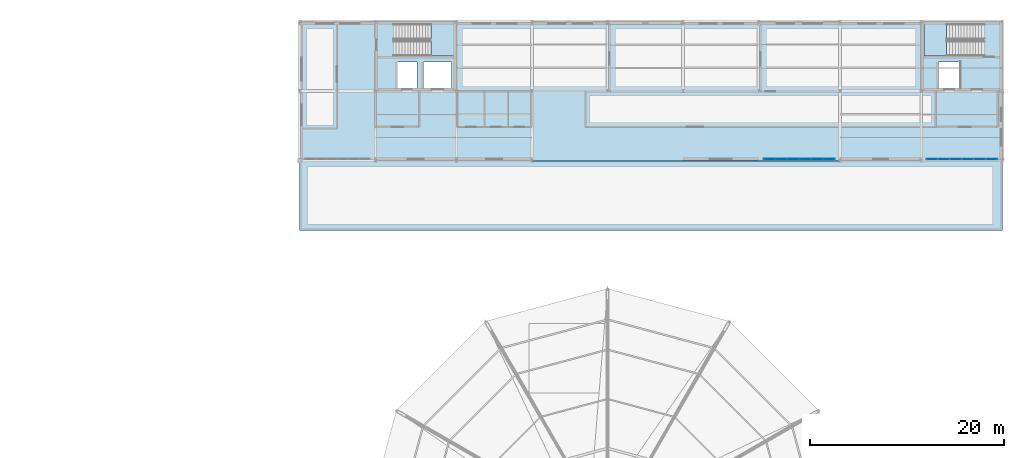
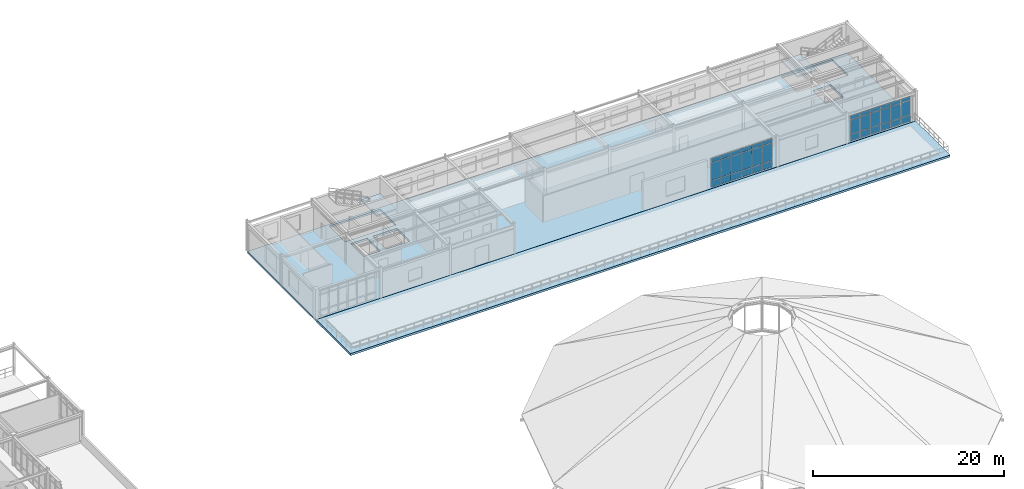
# One storey, part 34 of 58: 36 plates, 4 slabs, 4 elements without a shape of their own.
"""IFC4 building model written with IfcOpenShell, lengths in metres."""

import ifcopenshell
import ifcopenshell.guid

model = None  # the IFC model being written
_history = None  # IfcOwnerHistory: only IFC2X3 demands one
_inside = {}  # id of a spatial element -> (the spatial element, [elements in it])
_under = {}  # id of a project, library or spatial element -> (it, [spatial elements below it])
_declared = {}  # id of a project -> (the project, [libraries it declares])
_typed = {}  # id of a type object -> (the type object, [elements of that type])
_made_of = {}  # id of a material, layer set ... -> (it, [elements and type objects made of it])


def new_model(schema):
    """Start an empty IFC model of exactly this schema.

    Asked for "IFC4X3", IfcOpenShell would pick the latest addendum, in which some entities
    have other attributes; the version numbers below select the first issue.
    IFC2X3 requires an IfcOwnerHistory on every rooted entity: one is made here for all.
    """
    global model, _history
    if schema == "IFC4X3":
        model = ifcopenshell.file(schema_version=(4, 3, 0, 0))
    else:
        model = ifcopenshell.file(schema=schema)
    _inside.clear()
    _under.clear()
    _declared.clear()
    _typed.clear()
    _made_of.clear()
    _history = None
    if model.schema == "IFC2X3":
        org = make("IfcOrganization", Name="unknown")
        user = make(
            "IfcPersonAndOrganization",
            ThePerson=make("IfcPerson", FamilyName="unknown"),
            TheOrganization=org,
        )
        app = make(
            "IfcApplication",
            ApplicationDeveloper=org,
            Version="unknown",
            ApplicationFullName="unknown",
            ApplicationIdentifier="unknown",
        )
        _history = make(
            "IfcOwnerHistory",
            OwningUser=user,
            OwningApplication=app,
            ChangeAction="ADDED",
            CreationDate=0,
        )
    return model


def make(cls, **values):
    """One entity of the class cls with the attributes given. An attribute that is None is left unset."""
    return model.create_entity(
        cls, **{name: value for name, value in values.items() if value is not None}
    )


def rooted(cls, **values):
    """An entity with a GlobalId (a new one), such as an element, a storey or a relation."""
    return make(cls, GlobalId=ifcopenshell.guid.new(), OwnerHistory=_history, **values)


def si_unit(unit_type, name, prefix=None):
    """IfcSIUnit, for example si_unit("LENGTHUNIT", "METRE", prefix="MILLI")."""
    return make("IfcSIUnit", UnitType=unit_type, Prefix=prefix, Name=name)


def derived_unit(unit_type, elements):
    """IfcDerivedUnit: a product of units, each with its exponent."""
    return make(
        "IfcDerivedUnit",
        Elements=[
            make("IfcDerivedUnitElement", Unit=unit, Exponent=power)
            for unit, power in elements
        ],
        UnitType=unit_type,
    )


def assignment(units):
    """IfcUnitAssignment: the units of a project."""
    return None if units is None else make("IfcUnitAssignment", Units=units)


def point(xyz):
    """IfcCartesianPoint."""
    return None if xyz is None else make("IfcCartesianPoint", Coordinates=xyz)


def direction(xyz):
    """IfcDirection."""
    return None if xyz is None else make("IfcDirection", DirectionRatios=xyz)


def frame(location, z_axis=None, x_axis=None):
    """IfcAxis2Placement3D, a coordinate frame: its origin and axes. An axis left out is left unset."""
    return make(
        "IfcAxis2Placement3D",
        Location=point(location),
        Axis=direction(z_axis),
        RefDirection=direction(x_axis),
    )


def frame_2d(location, x_axis=None):
    """IfcAxis2Placement2D, a coordinate frame in the plane: its origin and x axis."""
    return make(
        "IfcAxis2Placement2D", Location=point(location), RefDirection=direction(x_axis)
    )


def origin():
    """The frame at (0, 0, 0) with its axes left unset."""
    return frame((0.0, 0.0, 0.0))


def origin_2d():
    """The frame at (0, 0) in the plane with its x axis left unset."""
    return frame_2d((0.0, 0.0))


def place(relative_to, where):
    """IfcLocalPlacement: puts the frame where relative to a parent placement (None: the world)."""
    return make(
        "IfcLocalPlacement", PlacementRelTo=relative_to, RelativePlacement=where
    )


def context(
    kind, dimensions, precision=None, world=None, true_north=None, identifier=None
):
    """IfcGeometricRepresentationContext, for example the 3D "Model" context."""
    return make(
        "IfcGeometricRepresentationContext",
        ContextIdentifier=identifier,
        ContextType=kind,
        CoordinateSpaceDimension=dimensions,
        Precision=precision,
        WorldCoordinateSystem=world,
        TrueNorth=true_north,
    )


def subcontext(parent, identifier, kind, view, scale=None):
    """IfcGeometricRepresentationSubContext, for example "Body" below "Model"."""
    return make(
        "IfcGeometricRepresentationSubContext",
        ContextIdentifier=identifier,
        ContextType=kind,
        ParentContext=parent,
        TargetScale=scale,
        TargetView=view,
    )


def project(units=None, contexts=None):
    """IfcProject with its units and contexts."""
    return rooted(
        "IfcProject",
        Name="project",
        RepresentationContexts=contexts,
        UnitsInContext=assignment(units),
    )


def spatial(cls, under=None, at=None, **own):
    """A site, building, storey or space (cls), placed at a placement, below another one or the project."""
    s = rooted(cls, ObjectPlacement=at, **own)
    if under is not None:
        _under.setdefault(under.id(), (under, []))[1].append(s)
    return s


def polyline(points):
    """IfcPolyline through the points."""
    return make("IfcPolyline", Points=[point(p) for p in points])


def profile(cls, at=None, kind="AREA", **sizes):
    """A parametric profile (cls). Its sizes go by their IFC names, for example OverallWidth=200.0."""
    return make(cls, ProfileType=kind, Position=at, **sizes)


def rectangle(**sizes):
    """IfcRectangleProfileDef."""
    return profile("IfcRectangleProfileDef", **sizes)


def outline(outer, holes=None, kind="AREA"):
    """IfcArbitraryClosedProfileDef: a profile drawn as a closed curve; with holes, ...WithVoids."""
    if holes is None:
        return make("IfcArbitraryClosedProfileDef", ProfileType=kind, OuterCurve=outer)
    return make(
        "IfcArbitraryProfileDefWithVoids",
        ProfileType=kind,
        OuterCurve=outer,
        InnerCurves=holes,
    )


def extrude(swept, where, along, depth):
    """IfcExtrudedAreaSolid: the profile swept, set in the frame where, extruded along a direction by depth."""
    return make(
        "IfcExtrudedAreaSolid",
        SweptArea=swept,
        Position=where,
        ExtrudedDirection=direction(along),
        Depth=depth,
    )


def shape(context_of_items, identifier, shape_type, items):
    """IfcShapeRepresentation: the items that make up one representation, for example the "Body"."""
    return make(
        "IfcShapeRepresentation",
        ContextOfItems=context_of_items,
        RepresentationIdentifier=identifier,
        RepresentationType=shape_type,
        Items=items,
    )


def material(Name=None, Category=None):
    """IfcMaterial."""
    return make("IfcMaterial", Name=Name, Category=Category)


def layer(
    of_material, thickness, ventilated=None, Name=None, Category=None, Priority=None
):
    """IfcMaterialLayer: one layer of a wall or slab, of a material (None: an air gap)."""
    return make(
        "IfcMaterialLayer",
        Material=of_material,
        LayerThickness=thickness,
        IsVentilated=ventilated,
        Name=Name,
        Category=Category,
        Priority=Priority,
    )


def layer_set(layers, Name=None):
    """IfcMaterialLayerSet."""
    return make("IfcMaterialLayerSet", MaterialLayers=layers, LayerSetName=Name)


def made_of(thing, what):
    """Note that an element or type object is made of a material, layer set ...; save() writes the relation."""
    if what is not None:
        _made_of.setdefault(what.id(), (what, []))[1].append(thing)
    return thing


def type_object(cls, material=None, **own):
    """A type object (cls), such as IfcWallType, which elements share."""
    return made_of(rooted(cls, **own), material)


def element(
    cls,
    number,
    at=None,
    inside=None,
    cuts=None,
    type_object=None,
    material=None,
    context=None,
    identifier="Body",
    shape_type=None,
    held_by="IfcProductDefinitionShape",
    body=None,
    shapes=None,
    **own,
):
    """One element of the class cls, such as IfcWall. Its Tag is "e" and its number.

    at: its placement. inside: the storey or other place that contains it. cuts: it is an
    opening in that element (IfcRelVoidsElement). A single representation is given by context,
    identifier, shape_type and body (its items); several are given by shapes. held_by: the class
    of the entity that holds the representations. save() writes the other relations.
    """
    e = rooted(cls, Tag="e%d" % number, ObjectPlacement=at, **own)
    if body is not None:
        shapes = [shape(context, identifier, shape_type, body)]
    if shapes is not None:
        e.Representation = make(held_by, Representations=shapes)
    if inside is not None:
        _inside.setdefault(inside.id(), (inside, []))[1].append(e)
    if cuts is not None:
        rooted(
            "IfcRelVoidsElement", RelatingBuildingElement=cuts, RelatedOpeningElement=e
        )
    if type_object is not None:
        _typed.setdefault(type_object.id(), (type_object, []))[1].append(e)
    return made_of(e, material)


def aggregate(whole, parts):
    """IfcRelAggregates: a whole, such as a stair, and the parts it consists of."""
    return rooted("IfcRelAggregates", RelatingObject=whole, RelatedObjects=parts)


def save(model, path):
    """Write the relations noted so far, then the file.

    IfcRelAggregates (storeys below a building ...), IfcRelContainedInSpatialStructure (elements
    in a storey), IfcRelDefinesByType, IfcRelAssociatesMaterial and IfcRelDeclares: one each for
    every whole, place, type object, material and project.
    """
    for whole, parts in _under.values():
        aggregate(whole, parts)
    for where, things in _inside.values():
        rooted(
            "IfcRelContainedInSpatialStructure",
            RelatedElements=things,
            RelatingStructure=where,
        )
    for kind, things in _typed.values():
        rooted("IfcRelDefinesByType", RelatedObjects=things, RelatingType=kind)
    for what, things in _made_of.values():
        rooted("IfcRelAssociatesMaterial", RelatedObjects=things, RelatingMaterial=what)
    for by, libraries in _declared.values():
        rooted("IfcRelDeclares", RelatingContext=by, RelatedDefinitions=libraries)
    model.write(path)


model = new_model("IFC4")

# Units and contexts
model_context = context("Model", 3, precision=1e-05, world=origin(), true_north=direction((0.0, 1.0)))
body_context = subcontext(model_context, "Body", "Model", "MODEL_VIEW")
ifc_project = project(units=[si_unit("LENGTHUNIT", "METRE"), si_unit("AREAUNIT", "SQUARE_METRE"), si_unit("VOLUMEUNIT", "CUBIC_METRE"), si_unit("PLANEANGLEUNIT", "RADIAN"), si_unit("MASSUNIT", "GRAM", prefix="KILO"), derived_unit("THERMALTRANSMITTANCEUNIT", [(si_unit("POWERUNIT", "WATT"), 1), (si_unit("AREAUNIT", "SQUARE_METRE"), -1), (si_unit("THERMODYNAMICTEMPERATUREUNIT", "KELVIN"), -1)])], contexts=[model_context])

# Site, building, storey
site_placement = place(None, origin())
site = spatial("IfcSite", under=ifc_project, at=site_placement, CompositionType="ELEMENT")
building_placement = place(site_placement, origin())
building = spatial("IfcBuilding", under=site, at=building_placement, Name="Yasenodar Specialist Clinic", CompositionType="ELEMENT")
storey_placement = place(building_placement, frame((0.0, 0.0, 21.300048828125)))
storey = spatial("IfcBuildingStorey", under=building, at=storey_placement, Name="L05", CompositionType="ELEMENT", Elevation=21.300048828125)

# Curtain wall, plates
ifc_material_1 = material(Name="Bronze Anodized Aluminium and Triple Low-E Glass", Category="aluminium")
ifc_layer_1 = layer(ifc_material_1, 0.215087890625)
ifc_layer_set_1 = layer_set([ifc_layer_1], Name="Bronze Anodized Aluminium and Triple Low-E Glass")
curtain_wall_type = type_object("IfcCurtainWallType", Name="CW-SYS-05", PredefinedType="USERDEFINED", material=ifc_layer_set_1)
curtain_wall_1_placement = place(storey_placement, origin())
curtain_wall_1 = element("IfcCurtainWall", 1, at=curtain_wall_1_placement, inside=storey, type_object=curtain_wall_type, Name="L05 Unitised Curtain Wall 165", ObjectType="UNITISED CURTAIN WALL", PredefinedType="USERDEFINED")
ifc_material_2 = material(Name="Triple Low-E Argon Glazing", Category="glass")
ifc_layer_2 = layer(ifc_material_2, 0.033935546875)
ifc_layer_set_2 = layer_set([ifc_layer_2], Name="Triple Low-E Argon Glazing")
plate_type_1 = type_object("IfcPlateType", Name="CW-PAN-2", PredefinedType="CURTAIN_PANEL", material=ifc_layer_set_2)
plate_1_placement = place(storey_placement, frame((120.68115234375, 97.3701171875, 0.074951171875), z_axis=(0.0, 0.0, 1.0), x_axis=(-1.0, 0.0, 0.0)))
plate_1 = element("IfcPlate", 2, at=plate_1_placement, type_object=plate_type_1, Name="CW-05 panel 1.1", PredefinedType="CURTAIN_PANEL", context=body_context, shape_type="SweptSolid", body=[
    extrude(rectangle(XDim=1.12744140625, YDim=0.033935546875, at=origin_2d()), origin(), (0.0, 0.0, 1.0), 0.78759765625),
])
plate_2_placement = place(storey_placement, frame((120.68115234375, 97.3701171875, 0.9375), z_axis=(0.0, 0.0, 1.0), x_axis=(-1.0, 0.0, 0.0)))
plate_2 = element("IfcPlate", 3, at=plate_2_placement, type_object=plate_type_1, Name="CW-05 panel 1.2", PredefinedType="CURTAIN_PANEL", context=body_context, shape_type="SweptSolid", body=[
    extrude(rectangle(XDim=1.12744140625, YDim=0.033935546875, at=origin_2d()), origin(), (0.0, 0.0, 1.0), 1.802978515625),
])
plate_3_placement = place(storey_placement, frame((120.68115234375, 97.3701171875, 2.8154296875), z_axis=(0.0, 0.0, 1.0), x_axis=(-1.0, 0.0, 0.0)))
plate_3 = element("IfcPlate", 4, at=plate_3_placement, type_object=plate_type_1, Name="CW-05 panel 1.3", PredefinedType="CURTAIN_PANEL", context=body_context, shape_type="SweptSolid", body=[
    extrude(rectangle(XDim=1.12744140625, YDim=0.033935546875, at=origin_2d()), origin(), (0.0, 0.0, 1.0), 0.487548828125),
])
plate_4_placement = place(storey_placement, frame((119.4599609375, 97.3701171875, 0.074951171875), z_axis=(0.0, 0.0, 1.0), x_axis=(-1.0, 0.0, 0.0)))
plate_4 = element("IfcPlate", 5, at=plate_4_placement, type_object=plate_type_1, Name="CW-05 panel 2.1", PredefinedType="CURTAIN_PANEL", context=body_context, shape_type="SweptSolid", body=[
    extrude(rectangle(XDim=1.1650390625, YDim=0.033935546875, at=origin_2d()), origin(), (0.0, 0.0, 1.0), 0.78759765625),
])
plate_5_placement = place(storey_placement, frame((119.4599609375, 97.3701171875, 0.9375), z_axis=(0.0, 0.0, 1.0), x_axis=(-1.0, 0.0, 0.0)))
plate_5 = element("IfcPlate", 6, at=plate_5_placement, type_object=plate_type_1, Name="CW-05 panel 2.2", PredefinedType="CURTAIN_PANEL", context=body_context, shape_type="SweptSolid", body=[
    extrude(rectangle(XDim=1.1650390625, YDim=0.033935546875, at=origin_2d()), origin(), (0.0, 0.0, 1.0), 1.802978515625),
])
plate_6_placement = place(storey_placement, frame((119.4599609375, 97.3701171875, 2.8154296875), z_axis=(0.0, 0.0, 1.0), x_axis=(-1.0, 0.0, 0.0)))
plate_6 = element("IfcPlate", 7, at=plate_6_placement, type_object=plate_type_1, Name="CW-05 panel 2.3", PredefinedType="CURTAIN_PANEL", context=body_context, shape_type="SweptSolid", body=[
    extrude(rectangle(XDim=1.1650390625, YDim=0.033935546875, at=origin_2d()), origin(), (0.0, 0.0, 1.0), 0.487548828125),
])
plate_7_placement = place(storey_placement, frame((118.219970703125, 97.3701171875, 0.074951171875), z_axis=(0.0, 0.0, 1.0), x_axis=(-1.0, 0.0, 0.0)))
plate_7 = element("IfcPlate", 8, at=plate_7_placement, type_object=plate_type_1, Name="CW-05 panel 3.1", PredefinedType="CURTAIN_PANEL", context=body_context, shape_type="SweptSolid", body=[
    extrude(rectangle(XDim=1.1650390625, YDim=0.033935546875, at=origin_2d()), origin(), (0.0, 0.0, 1.0), 0.78759765625),
])
plate_8_placement = place(storey_placement, frame((118.219970703125, 97.3701171875, 0.9375), z_axis=(0.0, 0.0, 1.0), x_axis=(-1.0, 0.0, 0.0)))
plate_8 = element("IfcPlate", 9, at=plate_8_placement, type_object=plate_type_1, Name="CW-05 panel 3.2", PredefinedType="CURTAIN_PANEL", context=body_context, shape_type="SweptSolid", body=[
    extrude(rectangle(XDim=1.1650390625, YDim=0.033935546875, at=origin_2d()), origin(), (0.0, 0.0, 1.0), 1.802978515625),
])
plate_9_placement = place(storey_placement, frame((118.219970703125, 97.3701171875, 2.8154296875), z_axis=(0.0, 0.0, 1.0), x_axis=(-1.0, 0.0, 0.0)))
plate_9 = element("IfcPlate", 10, at=plate_9_placement, type_object=plate_type_1, Name="CW-05 panel 3.3", PredefinedType="CURTAIN_PANEL", context=body_context, shape_type="SweptSolid", body=[
    extrude(rectangle(XDim=1.1650390625, YDim=0.033935546875, at=origin_2d()), origin(), (0.0, 0.0, 1.0), 0.487548828125),
])
plate_10_placement = place(storey_placement, frame((116.97998046875, 97.3701171875, 0.074951171875), z_axis=(0.0, 0.0, 1.0), x_axis=(-1.0, 0.0, 0.0)))
plate_10 = element("IfcPlate", 11, at=plate_10_placement, type_object=plate_type_1, Name="CW-05 panel 4.1", PredefinedType="CURTAIN_PANEL", context=body_context, shape_type="SweptSolid", body=[
    extrude(rectangle(XDim=1.1650390625, YDim=0.033935546875, at=origin_2d()), origin(), (0.0, 0.0, 1.0), 0.78759765625),
])
plate_11_placement = place(storey_placement, frame((116.97998046875, 97.3701171875, 0.9375), z_axis=(0.0, 0.0, 1.0), x_axis=(-1.0, 0.0, 0.0)))
plate_11 = element("IfcPlate", 12, at=plate_11_placement, type_object=plate_type_1, Name="CW-05 panel 4.2", PredefinedType="CURTAIN_PANEL", context=body_context, shape_type="SweptSolid", body=[
    extrude(rectangle(XDim=1.1650390625, YDim=0.033935546875, at=origin_2d()), origin(), (0.0, 0.0, 1.0), 1.802978515625),
])
plate_12_placement = place(storey_placement, frame((116.97998046875, 97.3701171875, 2.8154296875), z_axis=(0.0, 0.0, 1.0), x_axis=(-1.0, 0.0, 0.0)))
plate_12 = element("IfcPlate", 13, at=plate_12_placement, type_object=plate_type_1, Name="CW-05 panel 4.3", PredefinedType="CURTAIN_PANEL", context=body_context, shape_type="SweptSolid", body=[
    extrude(rectangle(XDim=1.1650390625, YDim=0.033935546875, at=origin_2d()), origin(), (0.0, 0.0, 1.0), 0.487548828125),
])
plate_13_placement = place(storey_placement, frame((115.739990234375, 97.3701171875, 0.074951171875), z_axis=(0.0, 0.0, 1.0), x_axis=(-1.0, 0.0, 0.0)))
plate_13 = element("IfcPlate", 14, at=plate_13_placement, type_object=plate_type_1, Name="CW-05 panel 5.1", PredefinedType="CURTAIN_PANEL", context=body_context, shape_type="SweptSolid", body=[
    extrude(rectangle(XDim=1.1650390625, YDim=0.033935546875, at=origin_2d()), origin(), (0.0, 0.0, 1.0), 0.78759765625),
])
plate_14_placement = place(storey_placement, frame((115.739990234375, 97.3701171875, 0.9375), z_axis=(0.0, 0.0, 1.0), x_axis=(-1.0, 0.0, 0.0)))
plate_14 = element("IfcPlate", 15, at=plate_14_placement, type_object=plate_type_1, Name="CW-05 panel 5.2", PredefinedType="CURTAIN_PANEL", context=body_context, shape_type="SweptSolid", body=[
    extrude(rectangle(XDim=1.1650390625, YDim=0.033935546875, at=origin_2d()), origin(), (0.0, 0.0, 1.0), 1.802978515625),
])
plate_15_placement = place(storey_placement, frame((115.739990234375, 97.3701171875, 2.8154296875), z_axis=(0.0, 0.0, 1.0), x_axis=(-1.0, 0.0, 0.0)))
plate_15 = element("IfcPlate", 16, at=plate_15_placement, type_object=plate_type_1, Name="CW-05 panel 5.3", PredefinedType="CURTAIN_PANEL", context=body_context, shape_type="SweptSolid", body=[
    extrude(rectangle(XDim=1.1650390625, YDim=0.033935546875, at=origin_2d()), origin(), (0.0, 0.0, 1.0), 0.487548828125),
])
plate_16_placement = place(storey_placement, frame((114.518798828125, 97.3701171875, 0.074951171875), z_axis=(0.0, 0.0, 1.0), x_axis=(-1.0, 0.0, 0.0)))
plate_16 = element("IfcPlate", 17, at=plate_16_placement, type_object=plate_type_1, Name="CW-05 panel 6.1", PredefinedType="CURTAIN_PANEL", context=body_context, shape_type="SweptSolid", body=[
    extrude(rectangle(XDim=1.12744140625, YDim=0.033935546875, at=origin_2d()), origin(), (0.0, 0.0, 1.0), 0.78759765625),
])
plate_17_placement = place(storey_placement, frame((114.518798828125, 97.3701171875, 0.9375), z_axis=(0.0, 0.0, 1.0), x_axis=(-1.0, 0.0, 0.0)))
plate_17 = element("IfcPlate", 18, at=plate_17_placement, type_object=plate_type_1, Name="CW-05 panel 6.2", PredefinedType="CURTAIN_PANEL", context=body_context, shape_type="SweptSolid", body=[
    extrude(rectangle(XDim=1.12744140625, YDim=0.033935546875, at=origin_2d()), origin(), (0.0, 0.0, 1.0), 1.802978515625),
])
plate_18_placement = place(storey_placement, frame((114.518798828125, 97.3701171875, 2.8154296875), z_axis=(0.0, 0.0, 1.0), x_axis=(-1.0, 0.0, 0.0)))
plate_18 = element("IfcPlate", 19, at=plate_18_placement, type_object=plate_type_1, Name="CW-05 panel 6.3", PredefinedType="CURTAIN_PANEL", context=body_context, shape_type="SweptSolid", body=[
    extrude(rectangle(XDim=1.12744140625, YDim=0.033935546875, at=origin_2d()), origin(), (0.0, 0.0, 1.0), 0.487548828125),
])
aggregate(curtain_wall_1, [plate_1, plate_2, plate_3, plate_4, plate_5, plate_6, plate_7, plate_8, plate_9, plate_10, plate_11, plate_12, plate_13, plate_14, plate_15, plate_16, plate_17, plate_18])

curtain_wall_2_placement = place(storey_placement, origin())
curtain_wall_2 = element("IfcCurtainWall", 20, at=curtain_wall_2_placement, inside=storey, type_object=curtain_wall_type, Name="L05 Unitised Curtain Wall 166", ObjectType="UNITISED CURTAIN WALL", PredefinedType="USERDEFINED")
ifc_layer_3 = layer(ifc_material_2, 0.0400390625)
ifc_layer_set_3 = layer_set([ifc_layer_3], Name="Triple Low-E Argon Glazing")
plate_type_2 = type_object("IfcPlateType", Name="CW-PAN-3", PredefinedType="CURTAIN_PANEL", material=ifc_layer_set_3)
plate_19_placement = place(storey_placement, frame((103.885009765625, 97.3701171875, 0.059814453125), z_axis=(0.0, 0.0, 1.0), x_axis=(-1.0, 0.0, 0.0)))
plate_19 = element("IfcPlate", 21, at=plate_19_placement, type_object=plate_type_2, Name="CW-05 panel 1.1", PredefinedType="CURTAIN_PANEL", context=body_context, shape_type="SweptSolid", body=[
    extrude(rectangle(XDim=1.14990234375, YDim=0.0400390625, at=origin_2d()), origin(), (0.0, 0.0, 1.0), 0.81005859375),
])
plate_20_placement = place(storey_placement, frame((103.885009765625, 97.3701171875, 0.93017578125), z_axis=(0.0, 0.0, 1.0), x_axis=(-1.0, 0.0, 0.0)))
plate_20 = element("IfcPlate", 22, at=plate_20_placement, type_object=plate_type_2, Name="CW-05 panel 1.2", PredefinedType="CURTAIN_PANEL", context=body_context, shape_type="SweptSolid", body=[
    extrude(rectangle(XDim=1.14990234375, YDim=0.0400390625, at=origin_2d()), origin(), (0.0, 0.0, 1.0), 2.219970703125),
])
plate_21_placement = place(storey_placement, frame((103.885009765625, 97.3701171875, 3.2099609375), z_axis=(0.0, 0.0, 1.0), x_axis=(-1.0, 0.0, 0.0)))
plate_21 = element("IfcPlate", 23, at=plate_21_placement, type_object=plate_type_2, Name="CW-05 panel 1.3", PredefinedType="CURTAIN_PANEL", context=body_context, shape_type="SweptSolid", body=[
    extrude(rectangle(XDim=1.14990234375, YDim=0.0400390625, at=origin_2d()), origin(), (0.0, 0.0, 1.0), 0.510009765625),
])
plate_22_placement = place(storey_placement, frame((102.659912109375, 97.3701171875, 0.059814453125), z_axis=(0.0, 0.0, 1.0), x_axis=(-1.0, 0.0, 0.0)))
plate_22 = element("IfcPlate", 24, at=plate_22_placement, type_object=plate_type_2, Name="CW-05 panel 2.1", PredefinedType="CURTAIN_PANEL", context=body_context, shape_type="SweptSolid", body=[
    extrude(rectangle(XDim=1.179931640625, YDim=0.0400390625, at=origin_2d()), origin(), (0.0, 0.0, 1.0), 0.81005859375),
])
plate_23_placement = place(storey_placement, frame((102.659912109375, 97.3701171875, 0.93017578125), z_axis=(0.0, 0.0, 1.0), x_axis=(-1.0, 0.0, 0.0)))
plate_23 = element("IfcPlate", 25, at=plate_23_placement, type_object=plate_type_2, Name="CW-05 panel 2.2", PredefinedType="CURTAIN_PANEL", context=body_context, shape_type="SweptSolid", body=[
    extrude(rectangle(XDim=1.179931640625, YDim=0.0400390625, at=origin_2d()), origin(), (0.0, 0.0, 1.0), 2.219970703125),
])
plate_24_placement = place(storey_placement, frame((102.659912109375, 97.3701171875, 3.2099609375), z_axis=(0.0, 0.0, 1.0), x_axis=(-1.0, 0.0, 0.0)))
plate_24 = element("IfcPlate", 26, at=plate_24_placement, type_object=plate_type_2, Name="CW-05 panel 2.3", PredefinedType="CURTAIN_PANEL", context=body_context, shape_type="SweptSolid", body=[
    extrude(rectangle(XDim=1.179931640625, YDim=0.0400390625, at=origin_2d()), origin(), (0.0, 0.0, 1.0), 0.510009765625),
])
plate_25_placement = place(storey_placement, frame((101.419921875, 97.3701171875, 0.059814453125), z_axis=(0.0, 0.0, 1.0), x_axis=(-1.0, 0.0, 0.0)))
plate_25 = element("IfcPlate", 27, at=plate_25_placement, type_object=plate_type_2, Name="CW-05 panel 3.1", PredefinedType="CURTAIN_PANEL", context=body_context, shape_type="SweptSolid", body=[
    extrude(rectangle(XDim=1.179931640625, YDim=0.0400390625, at=origin_2d()), origin(), (0.0, 0.0, 1.0), 0.81005859375),
])
plate_26_placement = place(storey_placement, frame((101.419921875, 97.3701171875, 0.93017578125), z_axis=(0.0, 0.0, 1.0), x_axis=(-1.0, 0.0, 0.0)))
plate_26 = element("IfcPlate", 28, at=plate_26_placement, type_object=plate_type_2, Name="CW-05 panel 3.2", PredefinedType="CURTAIN_PANEL", context=body_context, shape_type="SweptSolid", body=[
    extrude(rectangle(XDim=1.179931640625, YDim=0.0400390625, at=origin_2d()), origin(), (0.0, 0.0, 1.0), 2.219970703125),
])
plate_27_placement = place(storey_placement, frame((101.419921875, 97.3701171875, 3.2099609375), z_axis=(0.0, 0.0, 1.0), x_axis=(-1.0, 0.0, 0.0)))
plate_27 = element("IfcPlate", 29, at=plate_27_placement, type_object=plate_type_2, Name="CW-05 panel 3.3", PredefinedType="CURTAIN_PANEL", context=body_context, shape_type="SweptSolid", body=[
    extrude(rectangle(XDim=1.179931640625, YDim=0.0400390625, at=origin_2d()), origin(), (0.0, 0.0, 1.0), 0.510009765625),
])
plate_28_placement = place(storey_placement, frame((100.179931640625, 97.3701171875, 0.059814453125), z_axis=(0.0, 0.0, 1.0), x_axis=(-1.0, 0.0, 0.0)))
plate_28 = element("IfcPlate", 30, at=plate_28_placement, type_object=plate_type_2, Name="CW-05 panel 4.1", PredefinedType="CURTAIN_PANEL", context=body_context, shape_type="SweptSolid", body=[
    extrude(rectangle(XDim=1.179931640625, YDim=0.0400390625, at=origin_2d()), origin(), (0.0, 0.0, 1.0), 0.81005859375),
])
plate_29_placement = place(storey_placement, frame((100.179931640625, 97.3701171875, 0.93017578125), z_axis=(0.0, 0.0, 1.0), x_axis=(-1.0, 0.0, 0.0)))
plate_29 = element("IfcPlate", 31, at=plate_29_placement, type_object=plate_type_2, Name="CW-05 panel 4.2", PredefinedType="CURTAIN_PANEL", context=body_context, shape_type="SweptSolid", body=[
    extrude(rectangle(XDim=1.179931640625, YDim=0.0400390625, at=origin_2d()), origin(), (0.0, 0.0, 1.0), 2.219970703125),
])
plate_30_placement = place(storey_placement, frame((100.179931640625, 97.3701171875, 3.2099609375), z_axis=(0.0, 0.0, 1.0), x_axis=(-1.0, 0.0, 0.0)))
plate_30 = element("IfcPlate", 32, at=plate_30_placement, type_object=plate_type_2, Name="CW-05 panel 4.3", PredefinedType="CURTAIN_PANEL", context=body_context, shape_type="SweptSolid", body=[
    extrude(rectangle(XDim=1.179931640625, YDim=0.0400390625, at=origin_2d()), origin(), (0.0, 0.0, 1.0), 0.510009765625),
])
plate_31_placement = place(storey_placement, frame((98.93994140625, 97.3701171875, 0.059814453125), z_axis=(0.0, 0.0, 1.0), x_axis=(-1.0, 0.0, 0.0)))
plate_31 = element("IfcPlate", 33, at=plate_31_placement, type_object=plate_type_2, Name="CW-05 panel 5.1", PredefinedType="CURTAIN_PANEL", context=body_context, shape_type="SweptSolid", body=[
    extrude(rectangle(XDim=1.179931640625, YDim=0.0400390625, at=origin_2d()), origin(), (0.0, 0.0, 1.0), 0.81005859375),
])
plate_32_placement = place(storey_placement, frame((98.93994140625, 97.3701171875, 0.93017578125), z_axis=(0.0, 0.0, 1.0), x_axis=(-1.0, 0.0, 0.0)))
plate_32 = element("IfcPlate", 34, at=plate_32_placement, type_object=plate_type_2, Name="CW-05 panel 5.2", PredefinedType="CURTAIN_PANEL", context=body_context, shape_type="SweptSolid", body=[
    extrude(rectangle(XDim=1.179931640625, YDim=0.0400390625, at=origin_2d()), origin(), (0.0, 0.0, 1.0), 2.219970703125),
])
plate_33_placement = place(storey_placement, frame((98.93994140625, 97.3701171875, 3.2099609375), z_axis=(0.0, 0.0, 1.0), x_axis=(-1.0, 0.0, 0.0)))
plate_33 = element("IfcPlate", 35, at=plate_33_placement, type_object=plate_type_2, Name="CW-05 panel 5.3", PredefinedType="CURTAIN_PANEL", context=body_context, shape_type="SweptSolid", body=[
    extrude(rectangle(XDim=1.179931640625, YDim=0.0400390625, at=origin_2d()), origin(), (0.0, 0.0, 1.0), 0.510009765625),
])
plate_34_placement = place(storey_placement, frame((97.715087890625, 97.3701171875, 0.059814453125), z_axis=(0.0, 0.0, 1.0), x_axis=(-1.0, 0.0, 0.0)))
plate_34 = element("IfcPlate", 36, at=plate_34_placement, type_object=plate_type_2, Name="CW-05 panel 6.1", PredefinedType="CURTAIN_PANEL", context=body_context, shape_type="SweptSolid", body=[
    extrude(rectangle(XDim=1.14990234375, YDim=0.0400390625, at=origin_2d()), origin(), (0.0, 0.0, 1.0), 0.81005859375),
])
plate_35_placement = place(storey_placement, frame((97.715087890625, 97.3701171875, 0.93017578125), z_axis=(0.0, 0.0, 1.0), x_axis=(-1.0, 0.0, 0.0)))
plate_35 = element("IfcPlate", 37, at=plate_35_placement, type_object=plate_type_2, Name="CW-05 panel 6.2", PredefinedType="CURTAIN_PANEL", context=body_context, shape_type="SweptSolid", body=[
    extrude(rectangle(XDim=1.14990234375, YDim=0.0400390625, at=origin_2d()), origin(), (0.0, 0.0, 1.0), 2.219970703125),
])
plate_36_placement = place(storey_placement, frame((97.715087890625, 97.3701171875, 3.2099609375), z_axis=(0.0, 0.0, 1.0), x_axis=(-1.0, 0.0, 0.0)))
plate_36 = element("IfcPlate", 38, at=plate_36_placement, type_object=plate_type_2, Name="CW-05 panel 6.3", PredefinedType="CURTAIN_PANEL", context=body_context, shape_type="SweptSolid", body=[
    extrude(rectangle(XDim=1.14990234375, YDim=0.0400390625, at=origin_2d()), origin(), (0.0, 0.0, 1.0), 0.510009765625),
])
aggregate(curtain_wall_2, [plate_19, plate_20, plate_21, plate_22, plate_23, plate_24, plate_25, plate_26, plate_27, plate_28, plate_29, plate_30, plate_31, plate_32, plate_33, plate_34, plate_35, plate_36])

# Slab
ifc_material_3 = material(Name="Concrete C30/37", Category="concrete")
ifc_layer_4 = layer(ifc_material_3, 0.25)
ifc_layer_set_4 = layer_set([ifc_layer_4], Name="Concrete C30/37")
slab_type_1 = type_object("IfcSlabType", Name="SLB-FLR-250", PredefinedType="FLOOR", material=ifc_layer_set_4)
slab_1_placement = place(storey_placement, frame((0.0, 0.0, -0.25)))
element("IfcSlab", 39, at=slab_1_placement, inside=storey, type_object=slab_type_1, Name="L05 V5 structural slab", PredefinedType="FLOOR", context=body_context, shape_type="SweptSolid", body=[
    extrude(outline(polyline([(49.199951171875, 111.60009765625), (121.800048828125, 111.60009765625), (121.800048828125, 97.199951171875), (49.199951171875, 97.199951171875), (49.199951171875, 111.60009765625)]), holes=[polyline([(65.1201171875, 108.010009765625), (65.1201171875, 111.31005859375), (58.9599609375, 111.31005859375), (58.9599609375, 108.010009765625), (65.1201171875, 108.010009765625)]), polyline([(119.840087890625, 108.010009765625), (119.840087890625, 111.31005859375), (113.679931640625, 111.31005859375), (113.679931640625, 108.010009765625), (119.840087890625, 108.010009765625)]), polyline([(61.300048828125, 104.699951171875), (61.300048828125, 107.39990234375), (59.300048828125, 107.39990234375), (59.300048828125, 104.699951171875), (61.300048828125, 104.699951171875)]), polyline([(64.89990234375, 104.699951171875), (64.89990234375, 107.39990234375), (62.0, 107.39990234375), (62.0, 104.699951171875), (64.89990234375, 104.699951171875)]), polyline([(117.39990234375, 104.699951171875), (117.39990234375, 107.39990234375), (115.199951171875, 107.39990234375), (115.199951171875, 104.699951171875), (117.39990234375, 104.699951171875)])]), origin(), (0.0, 0.0, 1.0), 0.25),
])

# Stair, slab
stair_type = type_object("IfcStairType", Name="ST-DOG-C4-28", PredefinedType="HALF_TURN_STAIR", material=ifc_material_3)
stair_1_placement = place(storey_placement, origin())
stair_1 = element("IfcStair", 40, at=stair_1_placement, inside=storey, type_object=stair_type, Name="L05 Core C4 Exit Stair ST-04", PredefinedType="HALF_TURN_STAIR")
ifc_layer_5 = layer(ifc_material_3, 0.199951171875)
ifc_layer_set_5 = layer_set([ifc_layer_5], Name="Concrete C30/37")
slab_type_2 = type_object("IfcSlabType", Name="SLB-LND-200", PredefinedType="LANDING", material=ifc_layer_set_5)
slab_2_placement = place(storey_placement, frame((0.0, 0.0, 1.824951171875)))
slab_2 = element("IfcSlab", 41, at=slab_2_placement, type_object=slab_type_2, Name="ST-04 landing 1", PredefinedType="LANDING", context=body_context, shape_type="SweptSolid", body=[
    extrude(outline(polyline([(62.77001953125, 108.010009765625), (65.1201171875, 108.010009765625), (65.1201171875, 111.31005859375), (62.77001953125, 111.31005859375), (62.77001953125, 108.010009765625)])), origin(), (0.0, 0.0, 1.0), 0.199951171875),
])
aggregate(stair_1, [slab_2])

stair_2_placement = place(storey_placement, origin())
stair_2 = element("IfcStair", 42, at=stair_2_placement, inside=storey, type_object=stair_type, Name="L05 Core C5 Exit Stair ST-05", PredefinedType="HALF_TURN_STAIR")
slab_3_placement = place(storey_placement, frame((0.0, 0.0, 1.824951171875)))
slab_3 = element("IfcSlab", 43, at=slab_3_placement, type_object=slab_type_2, Name="ST-05 landing 1", PredefinedType="LANDING", context=body_context, shape_type="SweptSolid", body=[
    extrude(outline(polyline([(116.030029296875, 111.31005859375), (113.679931640625, 111.31005859375), (113.679931640625, 108.010009765625), (116.030029296875, 108.010009765625), (116.030029296875, 111.31005859375)])), origin(), (0.0, 0.0, 1.0), 0.199951171875),
])
aggregate(stair_2, [slab_3])

# Slab
ifc_layer_6 = layer(ifc_material_3, 0.260009765625)
ifc_layer_set_6 = layer_set([ifc_layer_6], Name="Concrete C30/37")
slab_type_3 = type_object("IfcSlabType", Name="SLB-TERR-260", PredefinedType="FLOOR", material=ifc_layer_set_6)
slab_4_placement = place(storey_placement, frame((0.0, 0.0, -0.260009765625)))
element("IfcSlab", 44, at=slab_4_placement, inside=storey, type_object=slab_type_3, Name="L05 V5 Step-2 Planted Roof Terrace", PredefinedType="FLOOR", context=body_context, shape_type="SweptSolid", body=[
    extrude(outline(polyline([(121.800048828125, 90.0), (49.199951171875, 90.0), (49.199951171875, 97.18505859375), (121.800048828125, 97.18505859375), (121.800048828125, 90.0)])), origin(), (0.0, 0.0, 1.0), 0.260009765625),
])

save(model, "model.ifc")
